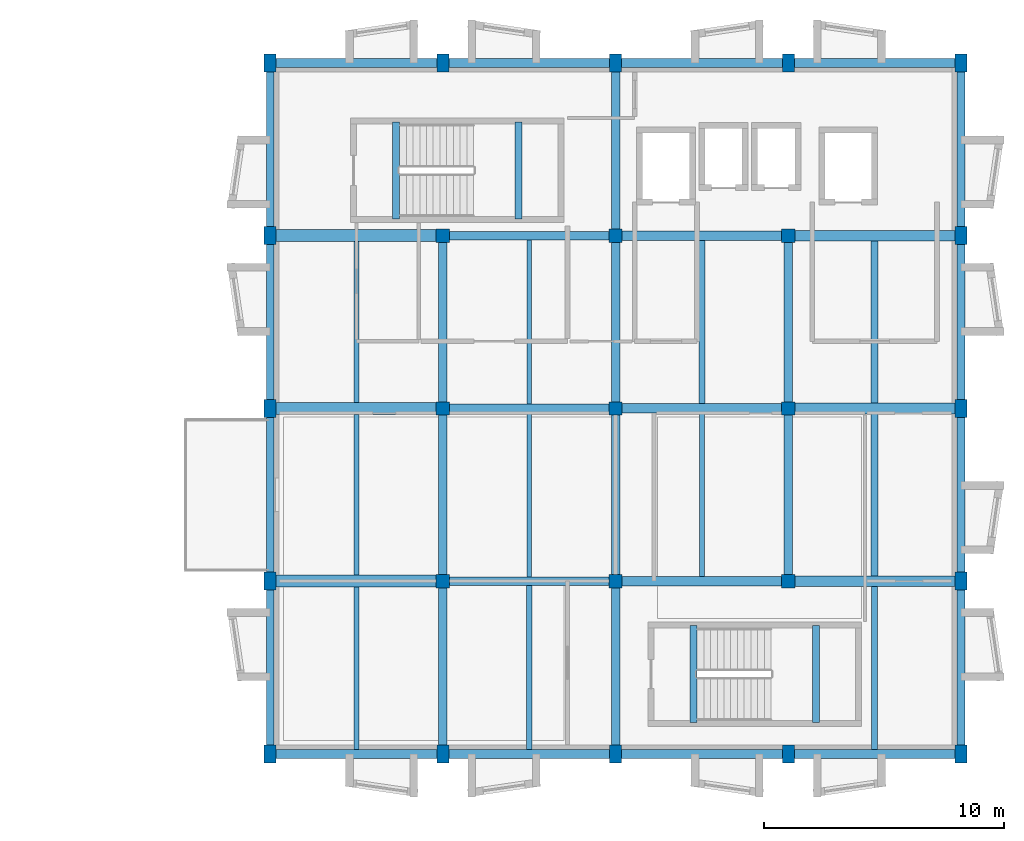
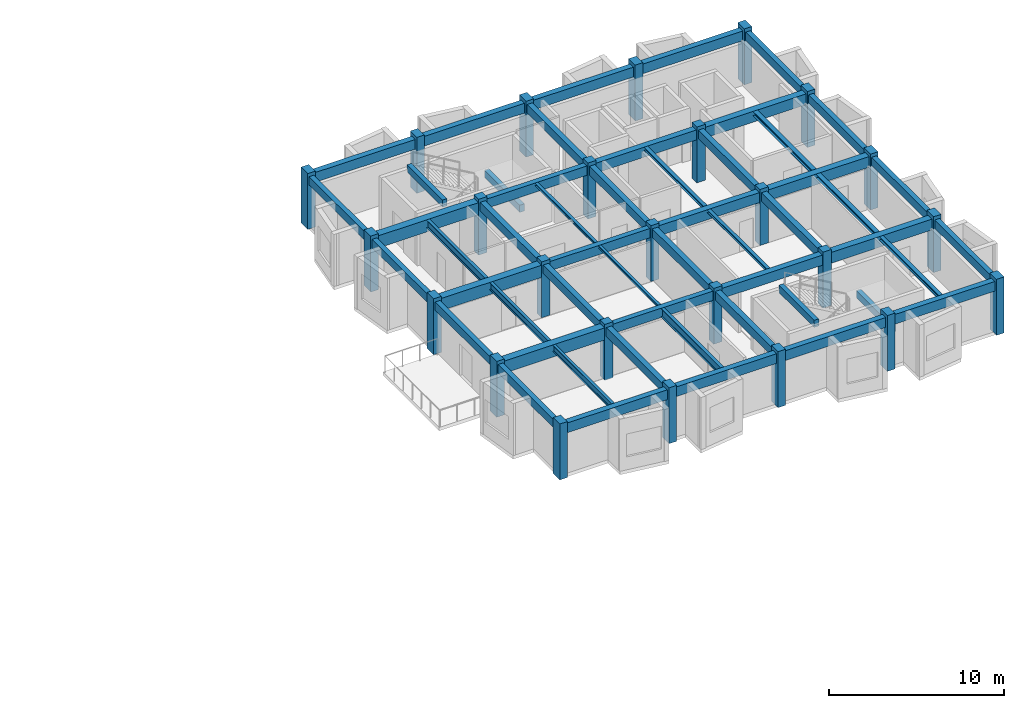
# One storey, part 1 of 7: 52 beams, 25 columns.
"""IFC4 building model written with IfcOpenShell, lengths in metres."""

import ifcopenshell
import ifcopenshell.guid

model = None  # the IFC model being written
_history = None  # IfcOwnerHistory: only IFC2X3 demands one
_inside = {}  # id of a spatial element -> (the spatial element, [elements in it])
_under = {}  # id of a project, library or spatial element -> (it, [spatial elements below it])
_declared = {}  # id of a project -> (the project, [libraries it declares])
_typed = {}  # id of a type object -> (the type object, [elements of that type])
_made_of = {}  # id of a material, layer set ... -> (it, [elements and type objects made of it])


def new_model(schema):
    """Start an empty IFC model of exactly this schema.

    Asked for "IFC4X3", IfcOpenShell would pick the latest addendum, in which some entities
    have other attributes; the version numbers below select the first issue.
    IFC2X3 requires an IfcOwnerHistory on every rooted entity: one is made here for all.
    """
    global model, _history
    if schema == "IFC4X3":
        model = ifcopenshell.file(schema_version=(4, 3, 0, 0))
    else:
        model = ifcopenshell.file(schema=schema)
    _inside.clear()
    _under.clear()
    _declared.clear()
    _typed.clear()
    _made_of.clear()
    _history = None
    if model.schema == "IFC2X3":
        org = make("IfcOrganization", Name="unknown")
        user = make(
            "IfcPersonAndOrganization",
            ThePerson=make("IfcPerson", FamilyName="unknown"),
            TheOrganization=org,
        )
        app = make(
            "IfcApplication",
            ApplicationDeveloper=org,
            Version="unknown",
            ApplicationFullName="unknown",
            ApplicationIdentifier="unknown",
        )
        _history = make(
            "IfcOwnerHistory",
            OwningUser=user,
            OwningApplication=app,
            ChangeAction="ADDED",
            CreationDate=0,
        )
    return model


def make(cls, **values):
    """One entity of the class cls with the attributes given. An attribute that is None is left unset."""
    return model.create_entity(
        cls, **{name: value for name, value in values.items() if value is not None}
    )


def rooted(cls, **values):
    """An entity with a GlobalId (a new one), such as an element, a storey or a relation."""
    return make(cls, GlobalId=ifcopenshell.guid.new(), OwnerHistory=_history, **values)


def si_unit(unit_type, name, prefix=None):
    """IfcSIUnit, for example si_unit("LENGTHUNIT", "METRE", prefix="MILLI")."""
    return make("IfcSIUnit", UnitType=unit_type, Prefix=prefix, Name=name)


def assignment(units):
    """IfcUnitAssignment: the units of a project."""
    return None if units is None else make("IfcUnitAssignment", Units=units)


def point(xyz):
    """IfcCartesianPoint."""
    return None if xyz is None else make("IfcCartesianPoint", Coordinates=xyz)


def direction(xyz):
    """IfcDirection."""
    return None if xyz is None else make("IfcDirection", DirectionRatios=xyz)


def frame(location, z_axis=None, x_axis=None):
    """IfcAxis2Placement3D, a coordinate frame: its origin and axes. An axis left out is left unset."""
    return make(
        "IfcAxis2Placement3D",
        Location=point(location),
        Axis=direction(z_axis),
        RefDirection=direction(x_axis),
    )


def frame_2d(location, x_axis=None):
    """IfcAxis2Placement2D, a coordinate frame in the plane: its origin and x axis."""
    return make(
        "IfcAxis2Placement2D", Location=point(location), RefDirection=direction(x_axis)
    )


def origin():
    """The frame at (0, 0, 0) with its axes left unset."""
    return frame((0.0, 0.0, 0.0))


def origin_2d():
    """The frame at (0, 0) in the plane with its x axis left unset."""
    return frame_2d((0.0, 0.0))


def place(relative_to, where):
    """IfcLocalPlacement: puts the frame where relative to a parent placement (None: the world)."""
    return make(
        "IfcLocalPlacement", PlacementRelTo=relative_to, RelativePlacement=where
    )


def context(
    kind, dimensions, precision=None, world=None, true_north=None, identifier=None
):
    """IfcGeometricRepresentationContext, for example the 3D "Model" context."""
    return make(
        "IfcGeometricRepresentationContext",
        ContextIdentifier=identifier,
        ContextType=kind,
        CoordinateSpaceDimension=dimensions,
        Precision=precision,
        WorldCoordinateSystem=world,
        TrueNorth=true_north,
    )


def subcontext(parent, identifier, kind, view, scale=None):
    """IfcGeometricRepresentationSubContext, for example "Body" below "Model"."""
    return make(
        "IfcGeometricRepresentationSubContext",
        ContextIdentifier=identifier,
        ContextType=kind,
        ParentContext=parent,
        TargetScale=scale,
        TargetView=view,
    )


def project(units=None, contexts=None):
    """IfcProject with its units and contexts."""
    return rooted(
        "IfcProject",
        Name="project",
        RepresentationContexts=contexts,
        UnitsInContext=assignment(units),
    )


def spatial(cls, under=None, at=None, **own):
    """A site, building, storey or space (cls), placed at a placement, below another one or the project."""
    s = rooted(cls, ObjectPlacement=at, **own)
    if under is not None:
        _under.setdefault(under.id(), (under, []))[1].append(s)
    return s


def profile(cls, at=None, kind="AREA", **sizes):
    """A parametric profile (cls). Its sizes go by their IFC names, for example OverallWidth=200.0."""
    return make(cls, ProfileType=kind, Position=at, **sizes)


def rectangle(**sizes):
    """IfcRectangleProfileDef."""
    return profile("IfcRectangleProfileDef", **sizes)


def i_section(**sizes):
    """IfcIShapeProfileDef."""
    return profile("IfcIShapeProfileDef", **sizes)


def extrude(swept, where, along, depth):
    """IfcExtrudedAreaSolid: the profile swept, set in the frame where, extruded along a direction by depth."""
    return make(
        "IfcExtrudedAreaSolid",
        SweptArea=swept,
        Position=where,
        ExtrudedDirection=direction(along),
        Depth=depth,
    )


def shape(context_of_items, identifier, shape_type, items):
    """IfcShapeRepresentation: the items that make up one representation, for example the "Body"."""
    return make(
        "IfcShapeRepresentation",
        ContextOfItems=context_of_items,
        RepresentationIdentifier=identifier,
        RepresentationType=shape_type,
        Items=items,
    )


def material(Name=None, Category=None):
    """IfcMaterial."""
    return make("IfcMaterial", Name=Name, Category=Category)


def material_profile(
    of_material, cross_section, Name=None, Category=None, Priority=None
):
    """IfcMaterialProfile: a cross section and its material."""
    return make(
        "IfcMaterialProfile",
        Name=Name,
        Material=of_material,
        Profile=cross_section,
        Priority=Priority,
        Category=Category,
    )


def profile_set(profiles, Name=None, composite=None):
    """IfcMaterialProfileSet."""
    return make(
        "IfcMaterialProfileSet",
        Name=Name,
        MaterialProfiles=profiles,
        CompositeProfile=composite,
    )


def made_of(thing, what):
    """Note that an element or type object is made of a material, layer set ...; save() writes the relation."""
    if what is not None:
        _made_of.setdefault(what.id(), (what, []))[1].append(thing)
    return thing


def type_object(cls, material=None, **own):
    """A type object (cls), such as IfcWallType, which elements share."""
    return made_of(rooted(cls, **own), material)


def element(
    cls,
    number,
    at=None,
    inside=None,
    cuts=None,
    type_object=None,
    material=None,
    context=None,
    identifier="Body",
    shape_type=None,
    held_by="IfcProductDefinitionShape",
    body=None,
    shapes=None,
    **own,
):
    """One element of the class cls, such as IfcWall. Its Tag is "e" and its number.

    at: its placement. inside: the storey or other place that contains it. cuts: it is an
    opening in that element (IfcRelVoidsElement). A single representation is given by context,
    identifier, shape_type and body (its items); several are given by shapes. held_by: the class
    of the entity that holds the representations. save() writes the other relations.
    """
    e = rooted(cls, Tag="e%d" % number, ObjectPlacement=at, **own)
    if body is not None:
        shapes = [shape(context, identifier, shape_type, body)]
    if shapes is not None:
        e.Representation = make(held_by, Representations=shapes)
    if inside is not None:
        _inside.setdefault(inside.id(), (inside, []))[1].append(e)
    if cuts is not None:
        rooted(
            "IfcRelVoidsElement", RelatingBuildingElement=cuts, RelatedOpeningElement=e
        )
    if type_object is not None:
        _typed.setdefault(type_object.id(), (type_object, []))[1].append(e)
    return made_of(e, material)


def aggregate(whole, parts):
    """IfcRelAggregates: a whole, such as a stair, and the parts it consists of."""
    return rooted("IfcRelAggregates", RelatingObject=whole, RelatedObjects=parts)


def save(model, path):
    """Write the relations noted so far, then the file.

    IfcRelAggregates (storeys below a building ...), IfcRelContainedInSpatialStructure (elements
    in a storey), IfcRelDefinesByType, IfcRelAssociatesMaterial and IfcRelDeclares: one each for
    every whole, place, type object, material and project.
    """
    for whole, parts in _under.values():
        aggregate(whole, parts)
    for where, things in _inside.values():
        rooted(
            "IfcRelContainedInSpatialStructure",
            RelatedElements=things,
            RelatingStructure=where,
        )
    for kind, things in _typed.values():
        rooted("IfcRelDefinesByType", RelatedObjects=things, RelatingType=kind)
    for what, things in _made_of.values():
        rooted("IfcRelAssociatesMaterial", RelatedObjects=things, RelatingMaterial=what)
    for by, libraries in _declared.values():
        rooted("IfcRelDeclares", RelatingContext=by, RelatedDefinitions=libraries)
    model.write(path)


model = new_model("IFC4")

# Units and contexts
model_context = context("Model", 3, precision=1e-05, world=origin(), true_north=direction((0.0, 1.0)))
body_context = subcontext(model_context, "Body", "Model", "MODEL_VIEW")
ifc_project = project(units=[si_unit("LENGTHUNIT", "METRE"), si_unit("AREAUNIT", "SQUARE_METRE"), si_unit("VOLUMEUNIT", "CUBIC_METRE"), si_unit("PLANEANGLEUNIT", "RADIAN"), si_unit("MASSUNIT", "GRAM", prefix="KILO")], contexts=[model_context])

# Site, building, storey
site_placement = place(None, origin())
site = spatial("IfcSite", under=ifc_project, at=site_placement, CompositionType="ELEMENT")
building_placement = place(site_placement, origin())
building = spatial("IfcBuilding", under=site, at=building_placement, Name="Bramveld Media Centre", CompositionType="ELEMENT")
storey_placement = place(building_placement, frame((0.0, 0.0, 25.800048828125)))
storey = spatial("IfcBuildingStorey", under=building, at=storey_placement, Name="L06", CompositionType="ELEMENT", Elevation=25.800048828125)

# Columns
ifc_material_1 = material(Name="Concrete C40/50", Category="concrete")
ifc_material_profile_1 = material_profile(ifc_material_1, rectangle(XDim=0.5, YDim=0.75, at=origin_2d()), Name="RC 500x750")
ifc_profile_set_1 = profile_set([ifc_material_profile_1], Name="Concrete C40/50")
column_type_1 = type_object("IfcColumnType", Name="COL-EXT-RC-500x750", PredefinedType="COLUMN", material=ifc_profile_set_1)
for number, where, z_axis, x_axis, name in (
    (1, (131.199951171875, 83.199951171875, 0.0), (0.0, 0.0, 1.0), (1.0, 0.0, 0.0), "V7 L06 column RC 500x750"),
    (2, (131.199951171875, 90.39990234375, 0.0), (0.0, 0.0, 1.0), (1.0, 0.0, 0.0), "V7 L06 column RC 500x750"),
    (3, (131.199951171875, 97.60009765625, 0.0), (0.0, 0.0, 1.0), (1.0, 0.0, 0.0), "V7 L06 column RC 500x750"),
    (4, (131.199951171875, 104.800048828125, 0.0), (0.0, 0.0, 1.0), (1.0, 0.0, 0.0), "V7 L06 column RC 500x750"),
    (5, (131.199951171875, 112.0, 0.0), (0.0, 0.0, 1.0), (1.0, 0.0, 0.0), "V7 L06 column RC 500x750"),
    (6, (138.39990234375, 83.199951171875, 0.0), (0.0, 0.0, 1.0), (1.0, 0.0, 0.0), "V7 L06 column RC 500x750"),
    (7, (138.39990234375, 112.0, 0.0), (0.0, 0.0, 1.0), (1.0, 0.0, 0.0), "V7 L06 column RC 500x750"),
    (8, (145.60009765625, 83.199951171875, 0.0), (0.0, 0.0, 1.0), (1.0, 0.0, 0.0), "V7 L06 column RC 500x750"),
    (9, (145.60009765625, 112.0, 0.0), (0.0, 0.0, 1.0), (1.0, 0.0, 0.0), "V7 L06 column RC 500x750"),
    (10, (152.800048828125, 83.199951171875, 0.0), (0.0, 0.0, 1.0), (1.0, 0.0, 0.0), "V7 L06 column RC 500x750"),
    (11, (152.800048828125, 112.0, 0.0), (0.0, 0.0, 1.0), (1.0, 0.0, 0.0), "V7 L06 column RC 500x750"),
    (12, (160.0, 83.199951171875, 0.0), (0.0, 0.0, 1.0), (1.0, 0.0, 0.0), "V7 L06 column RC 500x750"),
    (13, (160.0, 90.39990234375, 0.0), (0.0, 0.0, 1.0), (1.0, 0.0, 0.0), "V7 L06 column RC 500x750"),
    (14, (160.0, 97.60009765625, 0.0), (0.0, 0.0, 1.0), (1.0, 0.0, 0.0), "V7 L06 column RC 500x750"),
    (15, (160.0, 104.800048828125, 0.0), (0.0, 0.0, 1.0), (1.0, 0.0, 0.0), "V7 L06 column RC 500x750"),
    (16, (160.0, 112.0, 0.0), (0.0, 0.0, 1.0), (1.0, 0.0, 0.0), "V7 L06 column RC 500x750"),
):
    element("IfcColumn", number, at=place(storey_placement, frame(where, z_axis=z_axis, x_axis=x_axis)), inside=storey, type_object=column_type_1, Name=name, PredefinedType="COLUMN", context=body_context, shape_type="SweptSolid", body=[
        extrude(rectangle(XDim=0.5, YDim=0.75, at=origin_2d()), origin(), (0.0, 0.0, 1.0), 3.89990234375),
    ])
ifc_material_2 = material(Name="Concrete C40/50", Category="concrete")
ifc_material_profile_2 = material_profile(ifc_material_2, rectangle(XDim=0.550048828125, YDim=0.550048828125, at=origin_2d()), Name="RC 550x550")
ifc_profile_set_2 = profile_set([ifc_material_profile_2], Name="Concrete C40/50")
column_type_2 = type_object("IfcColumnType", Name="COL-INT-RC-550x550", PredefinedType="COLUMN", material=ifc_profile_set_2)
for number, where, z_axis, x_axis, name in (
    (17, (138.39990234375, 90.39990234375, 0.0), (0.0, 0.0, 1.0), (1.0, 0.0, 0.0), "V7 L06 column RC 550x550"),
    (18, (138.39990234375, 97.60009765625, 0.0), (0.0, 0.0, 1.0), (1.0, 0.0, 0.0), "V7 L06 column RC 550x550"),
    (19, (138.39990234375, 104.800048828125, 0.0), (0.0, 0.0, 1.0), (1.0, 0.0, 0.0), "V7 L06 column RC 550x550"),
    (20, (145.60009765625, 90.39990234375, 0.0), (0.0, 0.0, 1.0), (1.0, 0.0, 0.0), "V7 L06 column RC 550x550"),
    (21, (145.60009765625, 97.60009765625, 0.0), (0.0, 0.0, 1.0), (1.0, 0.0, 0.0), "V7 L06 column RC 550x550"),
    (22, (145.60009765625, 104.800048828125, 0.0), (0.0, 0.0, 1.0), (1.0, 0.0, 0.0), "V7 L06 column RC 550x550"),
    (23, (152.800048828125, 90.39990234375, 0.0), (0.0, 0.0, 1.0), (1.0, 0.0, 0.0), "V7 L06 column RC 550x550"),
    (24, (152.800048828125, 97.60009765625, 0.0), (0.0, 0.0, 1.0), (1.0, 0.0, 0.0), "V7 L06 column RC 550x550"),
    (25, (152.800048828125, 104.800048828125, 0.0), (0.0, 0.0, 1.0), (1.0, 0.0, 0.0), "V7 L06 column RC 550x550"),
):
    element("IfcColumn", number, at=place(storey_placement, frame(where, z_axis=z_axis, x_axis=x_axis)), inside=storey, type_object=column_type_2, Name=name, PredefinedType="COLUMN", context=body_context, shape_type="SweptSolid", body=[
        extrude(rectangle(XDim=0.550048828125, YDim=0.550048828125, at=origin_2d()), origin(), (0.0, 0.0, 1.0), 3.89990234375),
    ])

# Beams
ifc_material_3 = material(Name="Concrete C40/50", Category="concrete")
ifc_material_profile_3 = material_profile(ifc_material_3, rectangle(XDim=0.300048828125, YDim=0.5, at=origin_2d()), Name="RC 300x500")
ifc_profile_set_3 = profile_set([ifc_material_profile_3], Name="Concrete C40/50")
beam_type_1 = type_object("IfcBeamType", Name="BM-INT-RC-300x500", PredefinedType="BEAM", material=ifc_profile_set_3)
for number, where, z_axis, x_axis, name in (
    (26, (136.449951171875, 105.5, 3.64990234375), (0.0, 1.0, 0.0), (-1.0, 0.0, 0.0), "ST-01 L07 stairwell landing trimmer beam"),
    (27, (141.550048828125, 105.5, 1.5), (0.0, 1.0, 0.0), (-1.0, 0.0, 0.0), "ST-01 L06 stairwell half-landing support beam"),
    (28, (148.85009765625, 84.5, 3.64990234375), (0.0, 1.0, 0.0), (-1.0, 0.0, 0.0), "ST-02 L07 stairwell landing trimmer beam"),
    (29, (153.949951171875, 84.5, 1.5), (0.0, 1.0, 0.0), (-1.0, 0.0, 0.0), "ST-02 L06 stairwell half-landing support beam"),
):
    element("IfcBeam", number, at=place(storey_placement, frame(where, z_axis=z_axis, x_axis=x_axis)), inside=storey, type_object=beam_type_1, Name=name, PredefinedType="BEAM", context=body_context, shape_type="SweptSolid", body=[
        extrude(rectangle(XDim=0.300048828125, YDim=0.5, at=origin_2d()), origin(), (0.0, 0.0, 1.0), 4.050048828125),
    ])
ifc_material_4 = material(Name="Concrete C40/50", Category="concrete")
ifc_material_profile_4 = material_profile(ifc_material_4, rectangle(XDim=0.35009765625, YDim=0.60009765625, at=origin_2d()), Name="RC 350x600")
ifc_profile_set_4 = profile_set([ifc_material_profile_4], Name="Concrete C40/50")
beam_type_2 = type_object("IfcBeamType", Name="BM-INT-RC-350x600", PredefinedType="BEAM", material=ifc_profile_set_4)
beam_1_placement = place(storey_placement, frame((138.39990234375, 83.574951171875, 3.349853515625), z_axis=(0.0, 1.0, 0.0), x_axis=(-1.0, 0.0, 0.0)))
element("IfcBeam", 30, at=beam_1_placement, inside=storey, type_object=beam_type_2, Name="V7 L06 girder Y-1554", PredefinedType="BEAM", context=body_context, shape_type="SweptSolid", body=[
    extrude(rectangle(XDim=0.35009765625, YDim=0.60009765625, at=origin_2d()), origin(), (0.0, 0.0, 1.0), 6.550048828125),
])
for number, where, z_axis, x_axis, name in (
    (31, (138.39990234375, 90.675048828125, 3.349853515625), (0.0, 1.0, 0.0), (-1.0, 0.0, 0.0), "V7 L06 girder Y-1555"),
    (32, (138.39990234375, 97.875, 3.349853515625), (0.0, 1.0, 0.0), (-1.0, 0.0, 0.0), "V7 L06 girder Y-1556"),
):
    element("IfcBeam", number, at=place(storey_placement, frame(where, z_axis=z_axis, x_axis=x_axis)), inside=storey, type_object=beam_type_2, Name=name, PredefinedType="BEAM", context=body_context, shape_type="SweptSolid", body=[
        extrude(rectangle(XDim=0.35009765625, YDim=0.60009765625, at=origin_2d()), origin(), (0.0, 0.0, 1.0), 6.64990234375),
    ])
beam_2_placement = place(storey_placement, frame((145.60009765625, 83.574951171875, 3.349853515625), z_axis=(0.0, 1.0, 0.0), x_axis=(-1.0, 0.0, 0.0)))
element("IfcBeam", 33, at=beam_2_placement, inside=storey, type_object=beam_type_2, Name="V7 L06 girder Y-1557", PredefinedType="BEAM", context=body_context, shape_type="SweptSolid", body=[
    extrude(rectangle(XDim=0.35009765625, YDim=0.60009765625, at=origin_2d()), origin(), (0.0, 0.0, 1.0), 6.550048828125),
])
for number, where, z_axis, x_axis, name in (
    (34, (145.60009765625, 90.675048828125, 3.349853515625), (0.0, 1.0, 0.0), (-1.0, 0.0, 0.0), "V7 L06 girder Y-1558"),
    (35, (145.60009765625, 97.875, 3.349853515625), (0.0, 1.0, 0.0), (-1.0, 0.0, 0.0), "V7 L06 girder Y-1559"),
):
    element("IfcBeam", number, at=place(storey_placement, frame(where, z_axis=z_axis, x_axis=x_axis)), inside=storey, type_object=beam_type_2, Name=name, PredefinedType="BEAM", context=body_context, shape_type="SweptSolid", body=[
        extrude(rectangle(XDim=0.35009765625, YDim=0.60009765625, at=origin_2d()), origin(), (0.0, 0.0, 1.0), 6.64990234375),
    ])
beam_3_placement = place(storey_placement, frame((145.60009765625, 105.074951171875, 3.349853515625), z_axis=(0.0, 1.0, 0.0), x_axis=(-1.0, 0.0, 0.0)))
element("IfcBeam", 36, at=beam_3_placement, inside=storey, type_object=beam_type_2, Name="V7 L06 girder Y-1560", PredefinedType="BEAM", context=body_context, shape_type="SweptSolid", body=[
    extrude(rectangle(XDim=0.35009765625, YDim=0.60009765625, at=origin_2d()), origin(), (0.0, 0.0, 1.0), 6.550048828125),
])
for number, where, z_axis, x_axis, name in (
    (37, (152.800048828125, 90.675048828125, 3.349853515625), (0.0, 1.0, 0.0), (-1.0, 0.0, 0.0), "V7 L06 girder Y-1561"),
    (38, (152.800048828125, 97.875, 3.349853515625), (0.0, 1.0, 0.0), (-1.0, 0.0, 0.0), "V7 L06 girder Y-1562"),
):
    element("IfcBeam", number, at=place(storey_placement, frame(where, z_axis=z_axis, x_axis=x_axis)), inside=storey, type_object=beam_type_2, Name=name, PredefinedType="BEAM", context=body_context, shape_type="SweptSolid", body=[
        extrude(rectangle(XDim=0.35009765625, YDim=0.60009765625, at=origin_2d()), origin(), (0.0, 0.0, 1.0), 6.64990234375),
    ])
ifc_material_5 = material(Name="Concrete C40/50", Category="concrete")
ifc_material_profile_5 = material_profile(ifc_material_5, rectangle(XDim=0.35009765625, YDim=0.64990234375, at=origin_2d()), Name="RC 350x650")
ifc_profile_set_5 = profile_set([ifc_material_profile_5], Name="Concrete C40/50")
beam_type_3 = type_object("IfcBeamType", Name="BM-INT-RC-350x650", PredefinedType="BEAM", material=ifc_profile_set_5)
for number, where, z_axis, x_axis, name in (
    (39, (138.675048828125, 90.39990234375, 3.324951171875), (1.0, 0.0, 0.0), (0.0, 1.0, 0.0), "V7 L06 girder X-1535"),
    (40, (138.675048828125, 97.60009765625, 3.324951171875), (1.0, 0.0, 0.0), (0.0, 1.0, 0.0), "V7 L06 girder X-1539"),
    (41, (138.675048828125, 104.800048828125, 3.324951171875), (1.0, 0.0, 0.0), (0.0, 1.0, 0.0), "V7 L06 girder X-1543"),
):
    element("IfcBeam", number, at=place(storey_placement, frame(where, z_axis=z_axis, x_axis=x_axis)), inside=storey, type_object=beam_type_3, Name=name, PredefinedType="BEAM", context=body_context, shape_type="SweptSolid", body=[
        extrude(rectangle(XDim=0.35009765625, YDim=0.64990234375, at=origin_2d()), origin(), (0.0, 0.0, 1.0), 6.64990234375),
    ])
ifc_material_6 = material(Name="Concrete C40/50", Category="concrete")
ifc_material_profile_6 = material_profile(ifc_material_6, rectangle(XDim=0.39990234375, YDim=0.699951171875, at=origin_2d()), Name="RC 400x700")
ifc_profile_set_6 = profile_set([ifc_material_profile_6], Name="Concrete C40/50")
beam_type_4 = type_object("IfcBeamType", Name="BM-INT-RC-400x700", PredefinedType="BEAM", material=ifc_profile_set_6)
for number, where, z_axis, x_axis, name in (
    (42, (145.875, 90.39990234375, 3.300048828125), (1.0, 0.0, 0.0), (0.0, 1.0, 0.0), "V7 L06 girder X-1536"),
    (43, (145.875, 97.60009765625, 3.300048828125), (1.0, 0.0, 0.0), (0.0, 1.0, 0.0), "V7 L06 girder X-1540"),
    (44, (145.875, 104.800048828125, 3.300048828125), (1.0, 0.0, 0.0), (0.0, 1.0, 0.0), "V7 L06 girder X-1544"),
):
    element("IfcBeam", number, at=place(storey_placement, frame(where, z_axis=z_axis, x_axis=x_axis)), inside=storey, type_object=beam_type_4, Name=name, PredefinedType="BEAM", context=body_context, shape_type="SweptSolid", body=[
        extrude(rectangle(XDim=0.39990234375, YDim=0.699951171875, at=origin_2d()), origin(), (0.0, 0.0, 1.0), 6.64990234375),
    ])
ifc_material_7 = material(Name="Concrete C40/50", Category="concrete")
ifc_material_profile_7 = material_profile(ifc_material_7, rectangle(XDim=0.449951171875, YDim=0.75, at=origin_2d()), Name="RC 450x750")
ifc_profile_set_7 = profile_set([ifc_material_profile_7], Name="Concrete C40/50")
beam_type_5 = type_object("IfcBeamType", Name="BM-INT-RC-450x750", PredefinedType="BEAM", material=ifc_profile_set_7)
for number, where, z_axis, x_axis, name in (
    (45, (153.074951171875, 90.39990234375, 3.27490234375), (1.0, 0.0, 0.0), (0.0, 1.0, 0.0), "V7 L06 girder X-1537"),
    (46, (153.074951171875, 97.60009765625, 3.27490234375), (1.0, 0.0, 0.0), (0.0, 1.0, 0.0), "V7 L06 girder X-1541"),
    (47, (153.074951171875, 104.800048828125, 3.27490234375), (1.0, 0.0, 0.0), (0.0, 1.0, 0.0), "V7 L06 girder X-1545"),
):
    element("IfcBeam", number, at=place(storey_placement, frame(where, z_axis=z_axis, x_axis=x_axis)), inside=storey, type_object=beam_type_5, Name=name, PredefinedType="BEAM", context=body_context, shape_type="SweptSolid", body=[
        extrude(rectangle(XDim=0.449951171875, YDim=0.75, at=origin_2d()), origin(), (0.0, 0.0, 1.0), 6.675048828125),
    ])
ifc_material_8 = material(Name="Concrete C40/50", Category="concrete")
ifc_material_profile_8 = material_profile(ifc_material_8, rectangle(XDim=0.5, YDim=0.85009765625, at=origin_2d()), Name="RC 500x850")
ifc_profile_set_8 = profile_set([ifc_material_profile_8], Name="Concrete C40/50")
beam_type_6 = type_object("IfcBeamType", Name="BM-INT-RC-500x850", PredefinedType="BEAM", material=ifc_profile_set_8)
for number, where, z_axis, x_axis, name in (
    (48, (131.449951171875, 90.39990234375, 3.224853515625), (1.0, 0.0, 0.0), (0.0, 1.0, 0.0), "V7 L06 girder X-1534"),
    (49, (131.449951171875, 97.60009765625, 3.224853515625), (1.0, 0.0, 0.0), (0.0, 1.0, 0.0), "V7 L06 girder X-1538"),
    (50, (131.449951171875, 104.800048828125, 3.224853515625), (1.0, 0.0, 0.0), (0.0, 1.0, 0.0), "V7 L06 girder X-1542"),
):
    element("IfcBeam", number, at=place(storey_placement, frame(where, z_axis=z_axis, x_axis=x_axis)), inside=storey, type_object=beam_type_6, Name=name, PredefinedType="BEAM", context=body_context, shape_type="SweptSolid", body=[
        extrude(rectangle(XDim=0.5, YDim=0.85009765625, at=origin_2d()), origin(), (0.0, 0.0, 1.0), 6.675048828125),
    ])
ifc_material_9 = material(Name="Steel S355J2", Category="steel")
ifc_material_profile_9 = material_profile(ifc_material_9, i_section(OverallWidth=0.179931640625, OverallDepth=0.1708984375, WebThickness=0.006103515625, FlangeThickness=0.009521484375, FilletRadius=0.014892578125, at=origin_2d()), Name="HEA 180")
ifc_profile_set_9 = profile_set([ifc_material_profile_9], Name="Steel S355J2")
beam_type_7 = type_object("IfcBeamType", Name="SBM-INT-HEA-180", PredefinedType="BEAM", material=ifc_profile_set_9)
beam_4_placement = place(storey_placement, frame((142.0, 90.574951171875, 3.564453125), z_axis=(0.0, 1.0, 0.0), x_axis=(-1.0, 0.0, 0.0)))
element("IfcBeam", 51, at=beam_4_placement, inside=storey, type_object=beam_type_7, Name="V7 L06 secondary floor joist 1571", PredefinedType="BEAM", context=body_context, shape_type="SweptSolid", body=[
    extrude(i_section(OverallWidth=0.179931640625, OverallDepth=0.1708984375, WebThickness=0.006103515625, FlangeThickness=0.009521484375, FilletRadius=0.014892578125, at=origin_2d()), origin(), (0.0, 0.0, 1.0), 6.85009765625),
])
ifc_material_10 = material(Name="Steel S355J2", Category="steel")
ifc_material_profile_10 = material_profile(ifc_material_10, i_section(OverallWidth=0.199951171875, OverallDepth=0.18994140625, WebThickness=0.006591796875, FlangeThickness=0.010009765625, FilletRadius=0.01806640625, at=origin_2d()), Name="HEA 200")
ifc_profile_set_10 = profile_set([ifc_material_profile_10], Name="Steel S355J2")
beam_type_8 = type_object("IfcBeamType", Name="SBM-INT-HEA-200", PredefinedType="BEAM", material=ifc_profile_set_10)
beam_5_placement = place(storey_placement, frame((142.0, 97.77490234375, 3.554931640625), z_axis=(0.0, 1.0, 0.0), x_axis=(-1.0, 0.0, 0.0)))
element("IfcBeam", 52, at=beam_5_placement, inside=storey, type_object=beam_type_8, Name="V7 L06 secondary floor joist 1572", PredefinedType="BEAM", context=body_context, shape_type="SweptSolid", body=[
    extrude(i_section(OverallWidth=0.199951171875, OverallDepth=0.18994140625, WebThickness=0.006591796875, FlangeThickness=0.010009765625, FilletRadius=0.01806640625, at=origin_2d()), origin(), (0.0, 0.0, 1.0), 6.85009765625),
])
ifc_material_11 = material(Name="Steel S355J2", Category="steel")
ifc_material_profile_11 = material_profile(ifc_material_11, i_section(OverallWidth=0.219970703125, OverallDepth=0.2099609375, WebThickness=0.007080078125, FlangeThickness=0.010986328125, FilletRadius=0.01806640625, at=origin_2d()), Name="HEA 220")
ifc_profile_set_11 = profile_set([ifc_material_profile_11], Name="Steel S355J2")
beam_type_9 = type_object("IfcBeamType", Name="SBM-INT-HEA-220", PredefinedType="BEAM", material=ifc_profile_set_11)
beam_6_placement = place(storey_placement, frame((149.199951171875, 90.60009765625, 3.544921875), z_axis=(0.0, 1.0, 0.0), x_axis=(-1.0, 0.0, 0.0)))
element("IfcBeam", 53, at=beam_6_placement, inside=storey, type_object=beam_type_9, Name="V7 L06 secondary floor joist 1573", PredefinedType="BEAM", context=body_context, shape_type="SweptSolid", body=[
    extrude(i_section(OverallWidth=0.219970703125, OverallDepth=0.2099609375, WebThickness=0.007080078125, FlangeThickness=0.010986328125, FilletRadius=0.01806640625, at=origin_2d()), origin(), (0.0, 0.0, 1.0), 6.7998046875),
])
ifc_material_12 = material(Name="Steel S355J2", Category="steel")
ifc_material_profile_12 = material_profile(ifc_material_12, i_section(OverallWidth=0.239990234375, OverallDepth=0.22998046875, WebThickness=0.007568359375, FlangeThickness=0.011962890625, FilletRadius=0.02099609375, at=origin_2d()), Name="HEA 240")
ifc_profile_set_12 = profile_set([ifc_material_profile_12], Name="Steel S355J2")
beam_type_10 = type_object("IfcBeamType", Name="SBM-INT-HEA-240", PredefinedType="BEAM", material=ifc_profile_set_12)
beam_7_placement = place(storey_placement, frame((149.199951171875, 97.800048828125, 3.534912109375), z_axis=(0.0, 1.0, 0.0), x_axis=(-1.0, 0.0, 0.0)))
element("IfcBeam", 54, at=beam_7_placement, inside=storey, type_object=beam_type_10, Name="V7 L06 secondary floor joist 1574", PredefinedType="BEAM", context=body_context, shape_type="SweptSolid", body=[
    extrude(i_section(OverallWidth=0.239990234375, OverallDepth=0.22998046875, WebThickness=0.007568359375, FlangeThickness=0.011962890625, FilletRadius=0.02099609375, at=origin_2d()), origin(), (0.0, 0.0, 1.0), 6.800048828125),
])
ifc_material_13 = material(Name="Steel S355J2", Category="steel")
ifc_material_profile_13 = material_profile(ifc_material_13, i_section(OverallWidth=0.260009765625, OverallDepth=0.25, WebThickness=0.007568359375, FlangeThickness=0.012451171875, FilletRadius=0.02392578125, at=origin_2d()), Name="HEA 260")
ifc_profile_set_13 = profile_set([ifc_material_profile_13], Name="Steel S355J2")
beam_type_11 = type_object("IfcBeamType", Name="SBM-INT-HEA-260", PredefinedType="BEAM", material=ifc_profile_set_13)
beam_8_placement = place(storey_placement, frame((156.39990234375, 83.389892578125, 3.52490234375), z_axis=(0.0, 1.0, 0.0), x_axis=(-1.0, 0.0, 0.0)))
element("IfcBeam", 55, at=beam_8_placement, inside=storey, type_object=beam_type_11, Name="V7 L06 secondary floor joist 1575", PredefinedType="BEAM", context=body_context, shape_type="SweptSolid", body=[
    extrude(i_section(OverallWidth=0.260009765625, OverallDepth=0.25, WebThickness=0.007568359375, FlangeThickness=0.012451171875, FilletRadius=0.02392578125, at=origin_2d()), origin(), (0.0, 0.0, 1.0), 6.78515625),
])
ifc_material_14 = material(Name="Steel S355J2", Category="steel")
ifc_material_profile_14 = material_profile(ifc_material_14, i_section(OverallWidth=0.300048828125, OverallDepth=0.2900390625, WebThickness=0.008544921875, FlangeThickness=0.013916015625, FilletRadius=0.027099609375, at=origin_2d()), Name="HEA 300")
ifc_profile_set_14 = profile_set([ifc_material_profile_14], Name="Steel S355J2")
beam_type_12 = type_object("IfcBeamType", Name="SBM-INT-HEA-300", PredefinedType="BEAM", material=ifc_profile_set_14)
beam_9_placement = place(storey_placement, frame((156.39990234375, 90.625, 3.5048828125), z_axis=(0.0, 1.0, 0.0), x_axis=(-1.0, 0.0, 0.0)))
element("IfcBeam", 56, at=beam_9_placement, inside=storey, type_object=beam_type_12, Name="V7 L06 secondary floor joist 1576", PredefinedType="BEAM", context=body_context, shape_type="SweptSolid", body=[
    extrude(i_section(OverallWidth=0.300048828125, OverallDepth=0.2900390625, WebThickness=0.008544921875, FlangeThickness=0.013916015625, FilletRadius=0.027099609375, at=origin_2d()), origin(), (0.0, 0.0, 1.0), 6.75),
])
ifc_material_15 = material(Name="Steel S355J2", Category="steel")
ifc_material_profile_15 = material_profile(ifc_material_15, i_section(OverallWidth=0.300048828125, OverallDepth=0.31005859375, WebThickness=0.009033203125, FlangeThickness=0.015380859375, FilletRadius=0.027099609375, at=origin_2d()), Name="HEA 320")
ifc_profile_set_15 = profile_set([ifc_material_profile_15], Name="Steel S355J2")
beam_type_13 = type_object("IfcBeamType", Name="SBM-INT-HEA-320", PredefinedType="BEAM", material=ifc_profile_set_15)
beam_10_placement = place(storey_placement, frame((156.39990234375, 97.824951171875, 3.494873046875), z_axis=(0.0, 1.0, 0.0), x_axis=(-1.0, 0.0, 0.0)))
element("IfcBeam", 57, at=beam_10_placement, inside=storey, type_object=beam_type_13, Name="V7 L06 secondary floor joist 1577", PredefinedType="BEAM", context=body_context, shape_type="SweptSolid", body=[
    extrude(i_section(OverallWidth=0.300048828125, OverallDepth=0.31005859375, WebThickness=0.009033203125, FlangeThickness=0.015380859375, FilletRadius=0.027099609375, at=origin_2d()), origin(), (0.0, 0.0, 1.0), 6.75),
])
ifc_material_16 = material(Name="Steel S355J2", Category="steel")
ifc_material_profile_16 = material_profile(ifc_material_16, i_section(OverallWidth=0.18994140625, OverallDepth=0.449951171875, WebThickness=0.009521484375, FlangeThickness=0.0146484375, FilletRadius=0.02099609375, at=origin_2d()), Name="IPE 450")
ifc_profile_set_16 = profile_set([ifc_material_profile_16], Name="Steel S355J2")
beam_type_14 = type_object("IfcBeamType", Name="SBM-INT-IPE-450", PredefinedType="BEAM", material=ifc_profile_set_16)
beam_11_placement = place(storey_placement, frame((134.800048828125, 83.389892578125, 3.425048828125), z_axis=(0.0, 1.0, 0.0), x_axis=(-1.0, 0.0, 0.0)))
element("IfcBeam", 58, at=beam_11_placement, inside=storey, type_object=beam_type_14, Name="V7 L06 secondary floor joist 1567", PredefinedType="BEAM", context=body_context, shape_type="SweptSolid", body=[
    extrude(i_section(OverallWidth=0.18994140625, OverallDepth=0.449951171875, WebThickness=0.009521484375, FlangeThickness=0.0146484375, FilletRadius=0.02099609375, at=origin_2d()), origin(), (0.0, 0.0, 1.0), 6.760009765625),
])
ifc_material_17 = material(Name="Steel S355J2", Category="steel")
ifc_material_profile_17 = material_profile(ifc_material_17, i_section(OverallWidth=0.199951171875, OverallDepth=0.5, WebThickness=0.01025390625, FlangeThickness=0.01611328125, FilletRadius=0.02099609375, at=origin_2d()), Name="IPE 500")
ifc_profile_set_17 = profile_set([ifc_material_profile_17], Name="Steel S355J2")
beam_type_15 = type_object("IfcBeamType", Name="SBM-INT-IPE-500", PredefinedType="BEAM", material=ifc_profile_set_17)
beam_12_placement = place(storey_placement, frame((134.800048828125, 90.64990234375, 3.39990234375), z_axis=(0.0, 1.0, 0.0), x_axis=(-1.0, 0.0, 0.0)))
element("IfcBeam", 59, at=beam_12_placement, inside=storey, type_object=beam_type_15, Name="V7 L06 secondary floor joist 1568", PredefinedType="BEAM", context=body_context, shape_type="SweptSolid", body=[
    extrude(i_section(OverallWidth=0.199951171875, OverallDepth=0.5, WebThickness=0.01025390625, FlangeThickness=0.01611328125, FilletRadius=0.02099609375, at=origin_2d()), origin(), (0.0, 0.0, 1.0), 6.7001953125),
])
ifc_material_18 = material(Name="Steel S355J2", Category="steel")
ifc_material_profile_18 = material_profile(ifc_material_18, i_section(OverallWidth=0.2099609375, OverallDepth=0.550048828125, WebThickness=0.010986328125, FlangeThickness=0.01708984375, FilletRadius=0.02392578125, at=origin_2d()), Name="IPE 550")
ifc_profile_set_18 = profile_set([ifc_material_profile_18], Name="Steel S355J2")
beam_type_16 = type_object("IfcBeamType", Name="SBM-INT-IPE-550", PredefinedType="BEAM", material=ifc_profile_set_18)
beam_13_placement = place(storey_placement, frame((134.800048828125, 97.85009765625, 3.375), z_axis=(0.0, 1.0, 0.0), x_axis=(-1.0, 0.0, 0.0)))
element("IfcBeam", 60, at=beam_13_placement, inside=storey, type_object=beam_type_16, Name="V7 L06 secondary floor joist 1569", PredefinedType="BEAM", context=body_context, shape_type="SweptSolid", body=[
    extrude(i_section(OverallWidth=0.2099609375, OverallDepth=0.550048828125, WebThickness=0.010986328125, FlangeThickness=0.01708984375, FilletRadius=0.02392578125, at=origin_2d()), origin(), (0.0, 0.0, 1.0), 6.699951171875),
])
ifc_material_19 = material(Name="Steel S355J2", Category="steel")
ifc_material_profile_19 = material_profile(ifc_material_19, i_section(OverallWidth=0.219970703125, OverallDepth=0.60009765625, WebThickness=0.011962890625, FlangeThickness=0.01904296875, FilletRadius=0.02392578125, at=origin_2d()), Name="IPE 600")
ifc_profile_set_19 = profile_set([ifc_material_profile_19], Name="Steel S355J2")
beam_type_17 = type_object("IfcBeamType", Name="SBM-INT-IPE-600", PredefinedType="BEAM", material=ifc_profile_set_19)
beam_14_placement = place(storey_placement, frame((142.0, 83.389892578125, 3.349853515625), z_axis=(0.0, 1.0, 0.0), x_axis=(-1.0, 0.0, 0.0)))
element("IfcBeam", 61, at=beam_14_placement, inside=storey, type_object=beam_type_17, Name="V7 L06 secondary floor joist 1570", PredefinedType="BEAM", context=body_context, shape_type="SweptSolid", body=[
    extrude(i_section(OverallWidth=0.219970703125, OverallDepth=0.60009765625, WebThickness=0.011962890625, FlangeThickness=0.01904296875, FilletRadius=0.02392578125, at=origin_2d()), origin(), (0.0, 0.0, 1.0), 6.835205078125),
])
ifc_material_20 = material(Name="Concrete C40/50", Category="concrete")
ifc_material_profile_20 = material_profile(ifc_material_20, rectangle(XDim=0.320068359375, YDim=0.580078125, at=origin_2d()), Name="RC 320x580")
ifc_profile_set_20 = profile_set([ifc_material_profile_20], Name="Concrete C40/50")
beam_type_18 = type_object("IfcBeamType", Name="SPANDREL-EXT-RC-320x580", PredefinedType="SPANDREL", material=ifc_profile_set_20)
beam_15_placement = place(storey_placement, frame((131.199951171875, 83.574951171875, 3.35986328125), z_axis=(0.0, 1.0, 0.0), x_axis=(-1.0, 0.0, 0.0)))
element("IfcBeam", 62, at=beam_15_placement, inside=storey, type_object=beam_type_18, Name="V7 L06 girder Y-1550", PredefinedType="SPANDREL", context=body_context, shape_type="SweptSolid", body=[
    extrude(rectangle(XDim=0.320068359375, YDim=0.580078125, at=origin_2d()), origin(), (0.0, 0.0, 1.0), 6.449951171875),
])
beam_16_placement = place(storey_placement, frame((131.199951171875, 90.77490234375, 3.35986328125), z_axis=(0.0, 1.0, 0.0), x_axis=(-1.0, 0.0, 0.0)))
element("IfcBeam", 63, at=beam_16_placement, inside=storey, type_object=beam_type_18, Name="V7 L06 girder Y-1551", PredefinedType="SPANDREL", context=body_context, shape_type="SweptSolid", body=[
    extrude(rectangle(XDim=0.320068359375, YDim=0.580078125, at=origin_2d()), origin(), (0.0, 0.0, 1.0), 6.4501953125),
])
for number, where, z_axis, x_axis, name in (
    (64, (131.199951171875, 97.97509765625, 3.35986328125), (0.0, 1.0, 0.0), (-1.0, 0.0, 0.0), "V7 L06 girder Y-1552"),
    (65, (131.199951171875, 105.175048828125, 3.35986328125), (0.0, 1.0, 0.0), (-1.0, 0.0, 0.0), "V7 L06 girder Y-1553"),
    (66, (160.0, 83.574951171875, 3.35986328125), (0.0, 1.0, 0.0), (-1.0, 0.0, 0.0), "V7 L06 girder Y-1563"),
):
    element("IfcBeam", number, at=place(storey_placement, frame(where, z_axis=z_axis, x_axis=x_axis)), inside=storey, type_object=beam_type_18, Name=name, PredefinedType="SPANDREL", context=body_context, shape_type="SweptSolid", body=[
        extrude(rectangle(XDim=0.320068359375, YDim=0.580078125, at=origin_2d()), origin(), (0.0, 0.0, 1.0), 6.449951171875),
    ])
beam_17_placement = place(storey_placement, frame((160.0, 90.77490234375, 3.35986328125), z_axis=(0.0, 1.0, 0.0), x_axis=(-1.0, 0.0, 0.0)))
element("IfcBeam", 67, at=beam_17_placement, inside=storey, type_object=beam_type_18, Name="V7 L06 girder Y-1564", PredefinedType="SPANDREL", context=body_context, shape_type="SweptSolid", body=[
    extrude(rectangle(XDim=0.320068359375, YDim=0.580078125, at=origin_2d()), origin(), (0.0, 0.0, 1.0), 6.4501953125),
])
for number, where, z_axis, x_axis, name in (
    (68, (160.0, 97.97509765625, 3.35986328125), (0.0, 1.0, 0.0), (-1.0, 0.0, 0.0), "V7 L06 girder Y-1565"),
    (69, (160.0, 105.175048828125, 3.35986328125), (0.0, 1.0, 0.0), (-1.0, 0.0, 0.0), "V7 L06 girder Y-1566"),
):
    element("IfcBeam", number, at=place(storey_placement, frame(where, z_axis=z_axis, x_axis=x_axis)), inside=storey, type_object=beam_type_18, Name=name, PredefinedType="SPANDREL", context=body_context, shape_type="SweptSolid", body=[
        extrude(rectangle(XDim=0.320068359375, YDim=0.580078125, at=origin_2d()), origin(), (0.0, 0.0, 1.0), 6.449951171875),
    ])
ifc_material_21 = material(Name="Concrete C40/50", Category="concrete")
ifc_material_profile_21 = material_profile(ifc_material_21, rectangle(XDim=0.3798828125, YDim=0.679931640625, at=origin_2d()), Name="RC 380x680")
ifc_profile_set_21 = profile_set([ifc_material_profile_21], Name="Concrete C40/50")
beam_type_19 = type_object("IfcBeamType", Name="SPANDREL-EXT-RC-380x680", PredefinedType="SPANDREL", material=ifc_profile_set_21)
beam_18_placement = place(storey_placement, frame((131.449951171875, 83.199951171875, 3.31005859375), z_axis=(1.0, 0.0, 0.0), x_axis=(0.0, 1.0, 0.0)))
element("IfcBeam", 70, at=beam_18_placement, inside=storey, type_object=beam_type_19, Name="V7 L06 girder X-1530", PredefinedType="SPANDREL", context=body_context, shape_type="SweptSolid", body=[
    extrude(rectangle(XDim=0.3798828125, YDim=0.679931640625, at=origin_2d()), origin(), (0.0, 0.0, 1.0), 6.699951171875),
])
beam_19_placement = place(storey_placement, frame((138.64990234375, 83.199951171875, 3.31005859375), z_axis=(1.0, 0.0, 0.0), x_axis=(0.0, 1.0, 0.0)))
element("IfcBeam", 71, at=beam_19_placement, inside=storey, type_object=beam_type_19, Name="V7 L06 girder X-1531", PredefinedType="SPANDREL", context=body_context, shape_type="SweptSolid", body=[
    extrude(rectangle(XDim=0.3798828125, YDim=0.679931640625, at=origin_2d()), origin(), (0.0, 0.0, 1.0), 6.7001953125),
])
for number, where, z_axis, x_axis, name in (
    (72, (145.85009765625, 83.199951171875, 3.31005859375), (1.0, 0.0, 0.0), (0.0, 1.0, 0.0), "V7 L06 girder X-1532"),
    (73, (153.050048828125, 83.199951171875, 3.31005859375), (1.0, 0.0, 0.0), (0.0, 1.0, 0.0), "V7 L06 girder X-1533"),
    (74, (131.449951171875, 112.0, 3.31005859375), (1.0, 0.0, 0.0), (0.0, 1.0, 0.0), "V7 L06 girder X-1546"),
):
    element("IfcBeam", number, at=place(storey_placement, frame(where, z_axis=z_axis, x_axis=x_axis)), inside=storey, type_object=beam_type_19, Name=name, PredefinedType="SPANDREL", context=body_context, shape_type="SweptSolid", body=[
        extrude(rectangle(XDim=0.3798828125, YDim=0.679931640625, at=origin_2d()), origin(), (0.0, 0.0, 1.0), 6.699951171875),
    ])
beam_20_placement = place(storey_placement, frame((138.64990234375, 112.0, 3.31005859375), z_axis=(1.0, 0.0, 0.0), x_axis=(0.0, 1.0, 0.0)))
element("IfcBeam", 75, at=beam_20_placement, inside=storey, type_object=beam_type_19, Name="V7 L06 girder X-1547", PredefinedType="SPANDREL", context=body_context, shape_type="SweptSolid", body=[
    extrude(rectangle(XDim=0.3798828125, YDim=0.679931640625, at=origin_2d()), origin(), (0.0, 0.0, 1.0), 6.7001953125),
])
for number, where, z_axis, x_axis, name in (
    (76, (145.85009765625, 112.0, 3.31005859375), (1.0, 0.0, 0.0), (0.0, 1.0, 0.0), "V7 L06 girder X-1548"),
    (77, (153.050048828125, 112.0, 3.31005859375), (1.0, 0.0, 0.0), (0.0, 1.0, 0.0), "V7 L06 girder X-1549"),
):
    element("IfcBeam", number, at=place(storey_placement, frame(where, z_axis=z_axis, x_axis=x_axis)), inside=storey, type_object=beam_type_19, Name=name, PredefinedType="SPANDREL", context=body_context, shape_type="SweptSolid", body=[
        extrude(rectangle(XDim=0.3798828125, YDim=0.679931640625, at=origin_2d()), origin(), (0.0, 0.0, 1.0), 6.699951171875),
    ])

save(model, "model.ifc")
